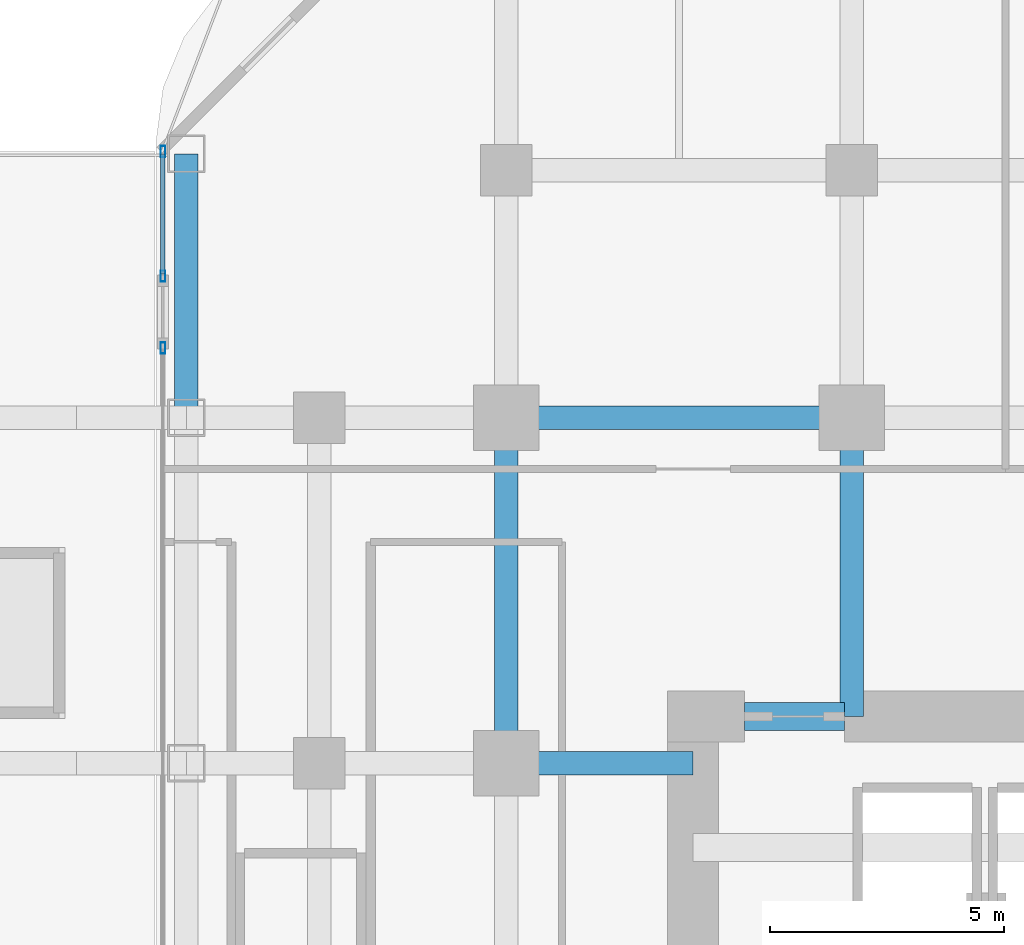
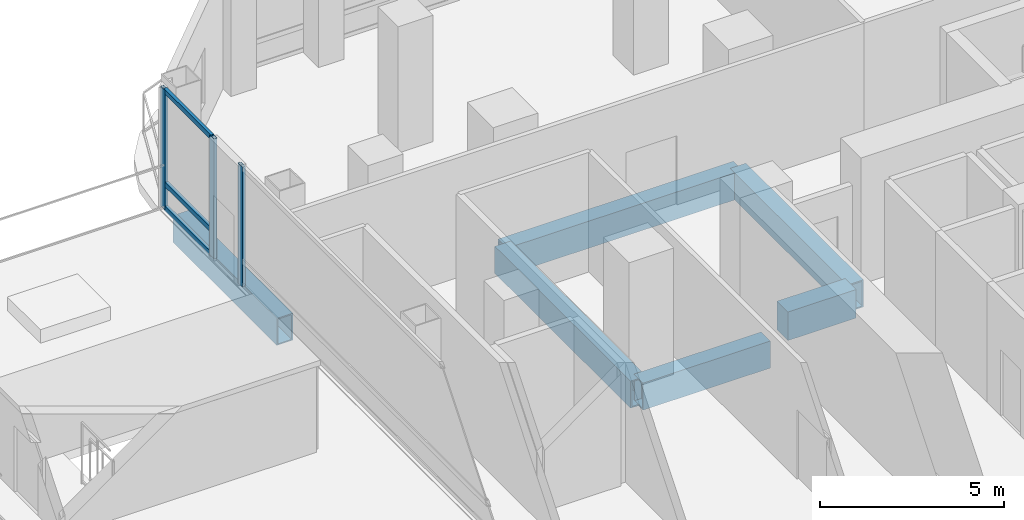
# One storey, part 14 of 29: 6 beams, 6 members, 2 elements without a shape of their own.
"""IFC4 building model written with IfcOpenShell, lengths in metres."""

from ifc_helpers import new_model, si_unit, direction, frame, origin, origin_2d, place, context, subcontext, project, spatial, rectangle, hollow_rectangle, extrude, material, layer, layer_set, material_profile, profile_set, type_object, element, aggregate, save


model = new_model("IFC4")

# Units and contexts
model_context = context("Model", 3, precision=1e-05, world=origin(), true_north=direction((0.0, 1.0)))
body_context = subcontext(model_context, "Body", "Model", "MODEL_VIEW")
ifc_project = project(units=[si_unit("LENGTHUNIT", "METRE"), si_unit("AREAUNIT", "SQUARE_METRE"), si_unit("VOLUMEUNIT", "CUBIC_METRE"), si_unit("PLANEANGLEUNIT", "RADIAN"), si_unit("MASSUNIT", "GRAM", prefix="KILO")], contexts=[model_context])

# Site, building, storey
site_placement = place(None, origin())
site = spatial("IfcSite", under=ifc_project, at=site_placement, CompositionType="ELEMENT")
building_placement = place(site_placement, origin())
building = spatial("IfcBuilding", under=site, at=building_placement, Name="Khorvyn Point Tower", CompositionType="ELEMENT")
storey_placement = place(building_placement, frame((0.0, 0.0, 26.39990234375)))
storey = spatial("IfcBuildingStorey", under=building, at=storey_placement, Name="L07", CompositionType="ELEMENT", Elevation=26.39990234375)

# Curtain wall, member
ifc_material_1 = material(Name="Anodised aluminium 6063-T6 and laminated Low-E glass", Category="aluminium")
ifc_layer = layer(ifc_material_1, 0.18994140625)
ifc_layer_set = layer_set([ifc_layer], Name="Stick-Built Finned Residential Curtain Wall CW-SYS-02")
curtain_wall_type = type_object("IfcCurtainWallType", Name="Stick-Built Finned Residential Curtain Wall CW-SYS-02", PredefinedType="NOTDEFINED", material=ifc_layer_set)
curtain_wall_1_placement = place(storey_placement, origin())
curtain_wall_1 = element("IfcCurtainWall", 1, at=curtain_wall_1_placement, inside=storey, type_object=curtain_wall_type, Name="Curtain Wall", PredefinedType="NOTDEFINED")
ifc_material_2 = material(Name="Anodised aluminium 6063-T6", Category="aluminium")
ifc_material_profile_1 = material_profile(ifc_material_2, hollow_rectangle(XDim=0.10009765625, YDim=0.239990234375, WallThickness=0.0048828125, at=origin_2d()))
ifc_profile_set_1 = profile_set([ifc_material_profile_1], Name="Anodised aluminium 6063-T6 ALU-MUL-100x240")
member_type_1 = type_object("IfcMemberType", Name="Anodised Aluminium 6063-T6 Mullion ALU-MUL-100x240", PredefinedType="MULLION", material=ifc_profile_set_1)
member_1_placement = place(storey_placement, frame((-22.14990234375, 16.2900390625, 0.0), z_axis=(0.0, 0.0, 1.0), x_axis=(-1.0, 0.0, 0.0)))
member_1 = element("IfcMember", 2, at=member_1_placement, type_object=member_type_1, Name="Transom", PredefinedType="MULLION", context=body_context, shape_type="SweptSolid", body=[
    extrude(hollow_rectangle(XDim=0.10009765625, YDim=0.239990234375, WallThickness=0.0048828125, at=origin_2d()), origin(), (0.0, 0.0, 1.0), 3.97998046875),
])
aggregate(curtain_wall_1, [member_1])

# Curtain wall, members
curtain_wall_2_placement = place(storey_placement, origin())
curtain_wall_2 = element("IfcCurtainWall", 3, at=curtain_wall_2_placement, inside=storey, type_object=curtain_wall_type, Name="Curtain Wall", PredefinedType="NOTDEFINED")
member_2_placement = place(storey_placement, frame((-22.14990234375, 17.830078125, 0.0), z_axis=(0.0, 0.0, 1.0), x_axis=(-1.0, 0.0, 0.0)))
member_2 = element("IfcMember", 4, at=member_2_placement, type_object=member_type_1, Name="Transom", PredefinedType="MULLION", context=body_context, shape_type="SweptSolid", body=[
    extrude(hollow_rectangle(XDim=0.10009765625, YDim=0.239990234375, WallThickness=0.0048828125, at=origin_2d()), origin(), (0.0, 0.0, 1.0), 3.97998046875),
])
member_3_placement = place(storey_placement, frame((-22.14990234375, 20.5, 0.0), z_axis=(0.0, 0.0, 1.0), x_axis=(-1.0, 0.0, 0.0)))
member_3 = element("IfcMember", 5, at=member_3_placement, type_object=member_type_1, Name="Transom", PredefinedType="MULLION", context=body_context, shape_type="SweptSolid", body=[
    extrude(hollow_rectangle(XDim=0.10009765625, YDim=0.239990234375, WallThickness=0.0048828125, at=origin_2d()), origin(), (0.0, 0.0, 1.0), 3.97998046875),
])
ifc_material_profile_2 = material_profile(ifc_material_2, hollow_rectangle(XDim=0.10009765625, YDim=0.159912109375, WallThickness=0.00439453125, at=origin_2d()))
ifc_profile_set_2 = profile_set([ifc_material_profile_2], Name="Anodised aluminium 6063-T6 ALU-TRN-100x160")
member_type_2 = type_object("IfcMemberType", Name="Anodised Aluminium 6063-T6 Transom ALU-TRN-100x160", PredefinedType="USERDEFINED", material=ifc_profile_set_2)
member_4_placement = place(storey_placement, frame((-22.14990234375, 17.8798828125, 0.050048828125), z_axis=(0.0, 1.0, 0.0), x_axis=(-1.0, 0.0, 0.0)))
member_4 = element("IfcMember", 6, at=member_4_placement, type_object=member_type_2, Name="Transom", ObjectType="TRANSOM", PredefinedType="USERDEFINED", context=body_context, shape_type="SweptSolid", body=[
    extrude(hollow_rectangle(XDim=0.10009765625, YDim=0.159912109375, WallThickness=0.00439453125, at=origin_2d()), origin(), (0.0, 0.0, 1.0), 2.570068359375),
])
member_5_placement = place(storey_placement, frame((-22.14990234375, 17.8798828125, 0.85009765625), z_axis=(0.0, 1.0, 0.0), x_axis=(-1.0, 0.0, 0.0)))
member_5 = element("IfcMember", 7, at=member_5_placement, type_object=member_type_2, Name="Transom", ObjectType="TRANSOM", PredefinedType="USERDEFINED", context=body_context, shape_type="SweptSolid", body=[
    extrude(hollow_rectangle(XDim=0.10009765625, YDim=0.159912109375, WallThickness=0.00439453125, at=origin_2d()), origin(), (0.0, 0.0, 1.0), 2.570068359375),
])
member_6_placement = place(storey_placement, frame((-22.14990234375, 17.8798828125, 3.93017578125), z_axis=(0.0, 1.0, 0.0), x_axis=(-1.0, 0.0, 0.0)))
member_6 = element("IfcMember", 8, at=member_6_placement, type_object=member_type_2, Name="Transom", ObjectType="TRANSOM", PredefinedType="USERDEFINED", context=body_context, shape_type="SweptSolid", body=[
    extrude(hollow_rectangle(XDim=0.10009765625, YDim=0.159912109375, WallThickness=0.00439453125, at=origin_2d()), origin(), (0.0, 0.0, 1.0), 2.570068359375),
])
aggregate(curtain_wall_2, [member_2, member_3, member_4, member_5, member_6])

# Beams
ifc_material_3 = material(Name="Concrete C50/60", Category="concrete")
ifc_material_profile_3 = material_profile(ifc_material_3, rectangle(XDim=0.60009765625, YDim=0.949951171875, at=origin_2d()))
ifc_profile_set_3 = profile_set([ifc_material_profile_3], Name="Concrete C50/60 RC600x950")
beam_type_1 = type_object("IfcBeamType", Name="Concrete C50/60 Beam RC600x950", PredefinedType="BEAM", material=ifc_profile_set_3)
beam_1_placement = place(storey_placement, frame((-9.699951171875, 8.39990234375, -0.794921875), z_axis=(1.0, 0.0, 0.0), x_axis=(0.0, 1.0, 0.0)))
element("IfcBeam", 9, at=beam_1_placement, inside=storey, type_object=beam_type_1, Name="L07 Core Northwest Portal Coupling Beam", PredefinedType="BEAM", context=body_context, shape_type="SweptSolid", body=[
    extrude(rectangle(XDim=0.60009765625, YDim=0.949951171875, at=origin_2d()), origin(), (0.0, 0.0, 1.0), 2.14990234375),
])
ifc_material_4 = material(Name="Steel S450", Category="steel")
ifc_material_profile_4 = material_profile(ifc_material_4, hollow_rectangle(XDim=0.5, YDim=0.89990234375, WallThickness=0.0400390625, at=origin_2d()))
ifc_profile_set_4 = profile_set([ifc_material_profile_4], Name="Steel S450 BOX900x500x40")
beam_type_2 = type_object("IfcBeamType", Name="Steel S450 Beam BOX900x500x40", PredefinedType="BEAM", material=ifc_profile_set_4)
beam_2_placement = place(storey_placement, frame((-21.64990234375, 14.800048828125, -0.77001953125), z_axis=(0.0, 1.0, 0.0), x_axis=(-1.0, 0.0, 0.0)))
element("IfcBeam", 10, at=beam_2_placement, inside=storey, type_object=beam_type_2, Name="Beam", PredefinedType="BEAM", context=body_context, shape_type="SweptSolid", body=[
    extrude(hollow_rectangle(XDim=0.5, YDim=0.89990234375, WallThickness=0.0400390625, at=origin_2d()), origin(), (0.0, 0.0, 1.0), 5.64990234375),
])
beam_3_placement = place(storey_placement, frame((-14.800048828125, 14.800048828125, -0.77001953125), z_axis=(1.0, 0.0, 0.0), x_axis=(0.0, 1.0, 0.0)))
element("IfcBeam", 11, at=beam_3_placement, inside=storey, type_object=beam_type_2, Name="L07 Radial Transfer Girder", PredefinedType="BEAM", context=body_context, shape_type="SweptSolid", body=[
    extrude(hollow_rectangle(XDim=0.5, YDim=0.89990234375, WallThickness=0.0400390625, at=origin_2d()), origin(), (0.0, 0.0, 1.0), 7.400146484375),
])
beam_4_placement = place(storey_placement, frame((-14.800048828125, 7.39990234375, -0.77001953125), z_axis=(1.0, 0.0, 0.0), x_axis=(0.0, 1.0, 0.0)))
element("IfcBeam", 12, at=beam_4_placement, inside=storey, type_object=beam_type_2, Name="Beam", PredefinedType="BEAM", context=body_context, shape_type="SweptSolid", body=[
    extrude(hollow_rectangle(XDim=0.5, YDim=0.89990234375, WallThickness=0.0400390625, at=origin_2d()), origin(), (0.0, 0.0, 1.0), 4.0),
])
beam_5_placement = place(storey_placement, frame((-14.800048828125, 7.39990234375, -0.77001953125), z_axis=(0.0, 1.0, 0.0), x_axis=(-1.0, 0.0, 0.0)))
element("IfcBeam", 13, at=beam_5_placement, inside=storey, type_object=beam_type_2, Name="L07 Radial Transfer Girder", PredefinedType="BEAM", context=body_context, shape_type="SweptSolid", body=[
    extrude(hollow_rectangle(XDim=0.5, YDim=0.89990234375, WallThickness=0.0400390625, at=origin_2d()), origin(), (0.0, 0.0, 1.0), 7.400146484375),
])
beam_6_placement = place(storey_placement, frame((-7.39990234375, 8.39990234375, -0.77001953125), z_axis=(0.0, 1.0, 0.0), x_axis=(-1.0, 0.0, 0.0)))
element("IfcBeam", 14, at=beam_6_placement, inside=storey, type_object=beam_type_2, Name="Beam", PredefinedType="BEAM", context=body_context, shape_type="SweptSolid", body=[
    extrude(hollow_rectangle(XDim=0.5, YDim=0.89990234375, WallThickness=0.0400390625, at=origin_2d()), origin(), (0.0, 0.0, 1.0), 6.400146484375),
])

save(model, "model.ifc")
